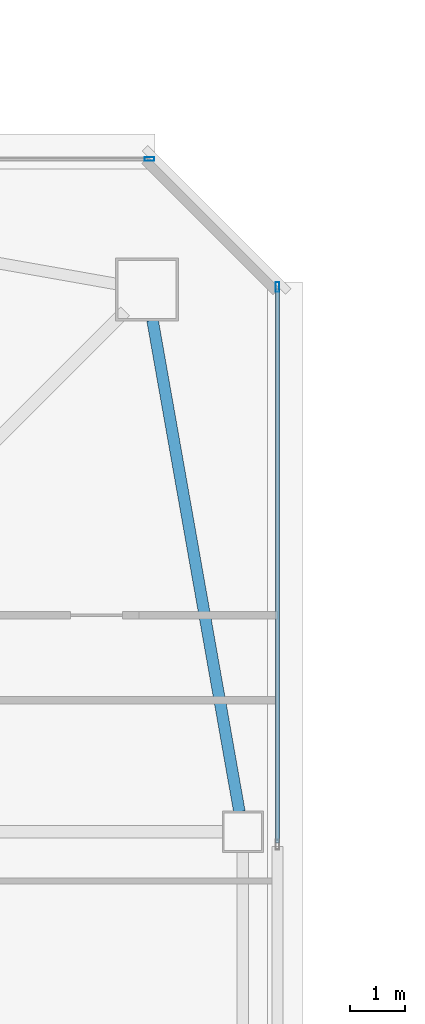
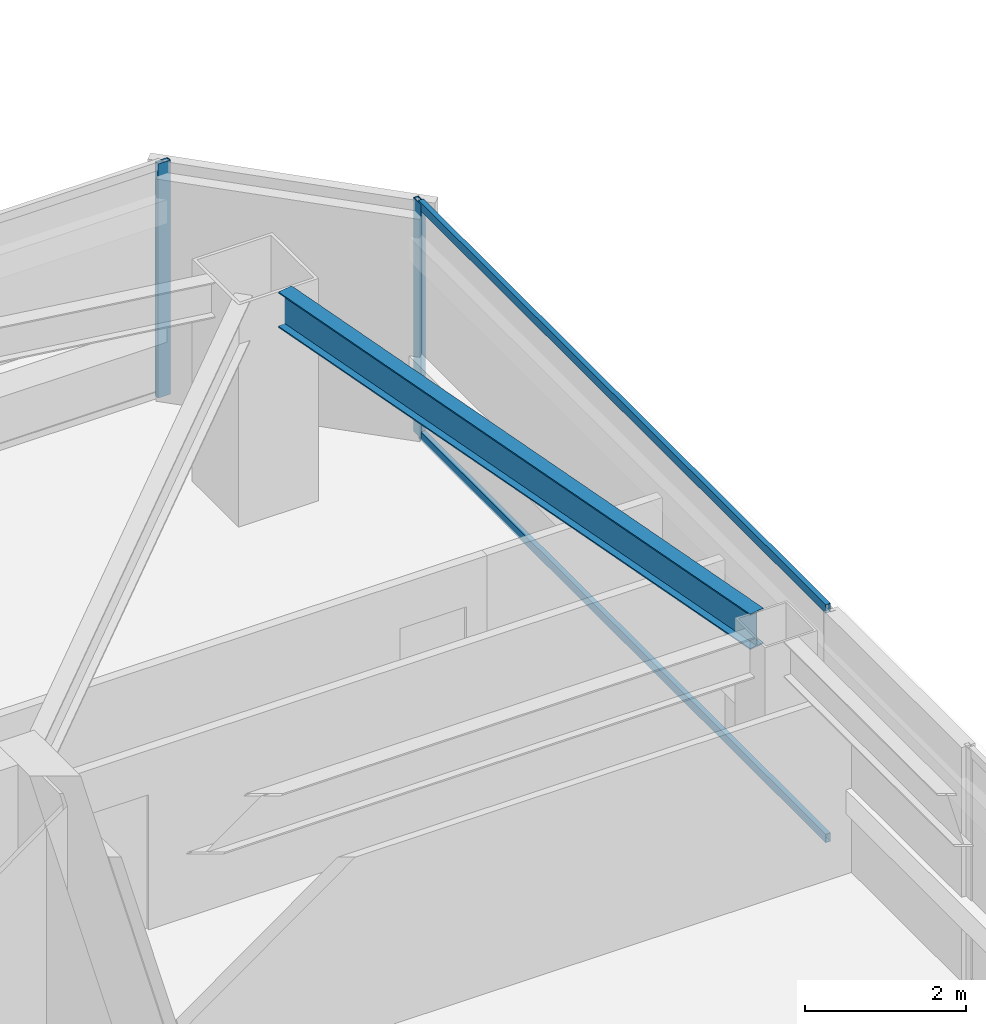
# One storey, part 15 of 43: 4 members, 1 beam, 2 elements without a shape of their own.
"""IFC4 building model written with IfcOpenShell, lengths in metres."""

from ifc_helpers import new_model, si_unit, direction, frame, origin, origin_2d, place, context, subcontext, project, spatial, hollow_rectangle, i_section, extrude, material, material_profile, profile_set, type_object, element, aggregate, save


model = new_model("IFC4")

# Units and contexts
model_context = context("Model", 3, precision=1e-05, world=origin(), true_north=direction((0.0, 1.0)))
body_context = subcontext(model_context, "Body", "Model", "MODEL_VIEW")
ifc_project = project(units=[si_unit("LENGTHUNIT", "METRE"), si_unit("AREAUNIT", "SQUARE_METRE"), si_unit("VOLUMEUNIT", "CUBIC_METRE"), si_unit("PLANEANGLEUNIT", "RADIAN"), si_unit("MASSUNIT", "GRAM", prefix="KILO")], contexts=[model_context])

# Site, building, storey
site_placement = place(None, origin())
site = spatial("IfcSite", under=ifc_project, at=site_placement, CompositionType="ELEMENT")
building_placement = place(site_placement, origin())
building = spatial("IfcBuilding", under=site, at=building_placement, Name="Tashvorn Skyway Center", CompositionType="ELEMENT")
storey_placement = place(building_placement, frame((0.0, 0.0, 188.949951171875)))
storey = spatial("IfcBuildingStorey", under=building, at=storey_placement, Name="L51", CompositionType="ELEMENT", Elevation=188.949951171875)

# Beam
ifc_material_1 = material(Name="Steel ASTM A992 Grade 50", Category="steel")
ifc_material_profile_1 = material_profile(ifc_material_1, i_section(OverallWidth=0.2109375, OverallDepth=0.5390625, WebThickness=0.01171875, FlangeThickness=0.018798828125, at=origin_2d()), Name="W21X73")
ifc_profile_set_1 = profile_set([ifc_material_profile_1], Name="Steel ASTM A992 Grade 50")
beam_type = type_object("IfcBeamType", Name="BM-SPANDREL-W21X73", PredefinedType="SPANDREL", material=ifc_profile_set_1)
beam_placement = place(storey_placement, frame((58.985595703125, 37.764404296875, 3.1005859375), z_axis=(-0.174074160933, 0.984732545667, 0.0), x_axis=(-0.984732545667, -0.174074160933, 0.0)))
element("IfcBeam", 1, at=beam_placement, inside=storey, type_object=beam_type, Name="Tower 1 L51 Spandrel Beam 06", PredefinedType="SPANDREL", context=body_context, shape_type="SweptSolid", body=[
    extrude(i_section(OverallWidth=0.2109375, OverallDepth=0.5390625, WebThickness=0.01171875, FlangeThickness=0.018798828125, at=origin_2d()), origin(), (0.0, 0.0, 1.0), 9.113525390625),
])

# Curtain wall, member
ifc_material_2 = material(Name="Thermally broken bronze-anodized aluminium 6063-T6", Category="aluminium")
curtain_wall_type = type_object("IfcCurtainWallType", Name="CW-CW-Z4", PredefinedType="NOTDEFINED", material=ifc_material_2)
curtain_wall_1_placement = place(storey_placement, origin())
curtain_wall_1 = element("IfcCurtainWall", 2, at=curtain_wall_1_placement, inside=storey, type_object=curtain_wall_type, Name="Tower 1 L51 North Unitised Curtain Wall Glazing Group 3", PredefinedType="NOTDEFINED")
ifc_material_profile_2 = material_profile(ifc_material_2, hollow_rectangle(XDim=0.070068359375, YDim=0.179931640625, WallThickness=0.00390625, at=origin_2d()), Name="ALU-MULL-70x180")
ifc_profile_set_2 = profile_set([ifc_material_profile_2], Name="Thermally broken bronze-anodized aluminium 6063-T6")
member_type_1 = type_object("IfcMemberType", Name="CWM-CW-Z4", PredefinedType="MULLION", material=ifc_profile_set_2)
member_1_placement = place(storey_placement, frame((57.344970703125, 49.679931640625, 0.0), z_axis=(0.0, 0.0, 1.0), x_axis=(0.0, 1.0, 0.0)))
member_1 = element("IfcMember", 3, at=member_1_placement, type_object=member_type_1, Name="CW-Z4 mullion 2", PredefinedType="MULLION", context=body_context, shape_type="SweptSolid", body=[
    extrude(hollow_rectangle(XDim=0.070068359375, YDim=0.179931640625, WallThickness=0.00390625, at=origin_2d()), origin(), (0.0, 0.0, 1.0), 3.550048828125),
])
aggregate(curtain_wall_1, [member_1])

# Curtain wall, members
curtain_wall_2_placement = place(storey_placement, origin())
curtain_wall_2 = element("IfcCurtainWall", 4, at=curtain_wall_2_placement, inside=storey, type_object=curtain_wall_type, Name="Tower 1 L51 East Unitised Curtain Wall Glazing Group 1", PredefinedType="NOTDEFINED")
member_2_placement = place(storey_placement, frame((59.679931640625, 47.344970703125, 0.0), z_axis=(0.0, 0.0, 1.0), x_axis=(1.0, 0.0, 0.0)))
member_2 = element("IfcMember", 5, at=member_2_placement, type_object=member_type_1, Name="CW-Z4 mullion 1", PredefinedType="MULLION", context=body_context, shape_type="SweptSolid", body=[
    extrude(hollow_rectangle(XDim=0.070068359375, YDim=0.179931640625, WallThickness=0.00390625, at=origin_2d()), origin(), (0.0, 0.0, 1.0), 3.550048828125),
])
ifc_material_profile_3 = material_profile(ifc_material_2, hollow_rectangle(XDim=0.070068359375, YDim=0.1298828125, WallThickness=0.00390625, at=origin_2d()), Name="ALU-TRAN-70x130")
ifc_profile_set_3 = profile_set([ifc_material_profile_3], Name="Thermally broken bronze-anodized aluminium 6063-T6")
member_type_2 = type_object("IfcMemberType", Name="CWT-CW-Z4", PredefinedType="USERDEFINED", material=ifc_profile_set_3)
member_3_placement = place(storey_placement, frame((59.679931640625, 47.31005859375, 0.03515625), z_axis=(0.0, -1.0, 0.0), x_axis=(1.0, 0.0, 0.0)))
member_3 = element("IfcMember", 6, at=member_3_placement, type_object=member_type_2, Name="CW-Z4 transom 1.1", ObjectType="TRANSOM", PredefinedType="USERDEFINED", context=body_context, shape_type="SweptSolid", body=[
    extrude(hollow_rectangle(XDim=0.070068359375, YDim=0.1298828125, WallThickness=0.00390625, at=origin_2d()), origin(), (0.0, 0.0, 1.0), 10.11328125),
])
member_4_placement = place(storey_placement, frame((59.679931640625, 47.31005859375, 3.51513671875), z_axis=(0.0, -1.0, 0.0), x_axis=(1.0, 0.0, 0.0)))
member_4 = element("IfcMember", 7, at=member_4_placement, type_object=member_type_2, Name="CW-Z4 transom 1.2", ObjectType="TRANSOM", PredefinedType="USERDEFINED", context=body_context, shape_type="SweptSolid", body=[
    extrude(hollow_rectangle(XDim=0.070068359375, YDim=0.1298828125, WallThickness=0.00390625, at=origin_2d()), origin(), (0.0, 0.0, 1.0), 10.11328125),
])
aggregate(curtain_wall_2, [member_2, member_3, member_4])

save(model, "model.ifc")
